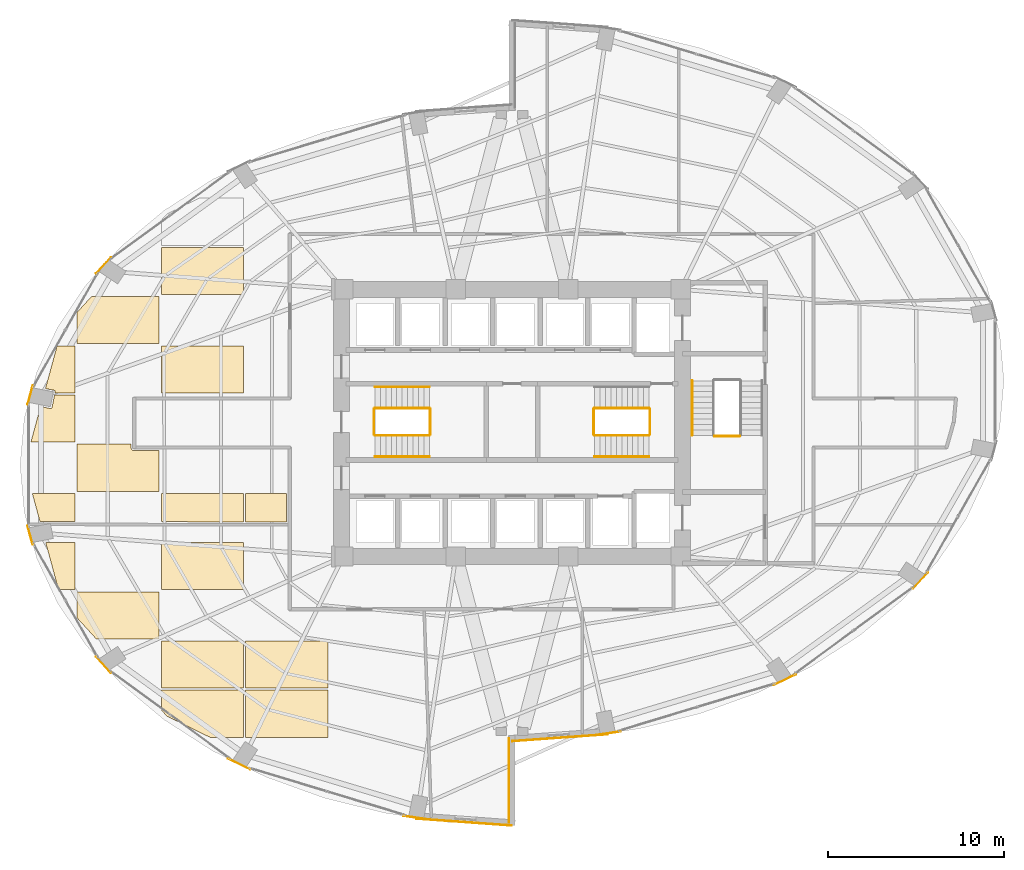
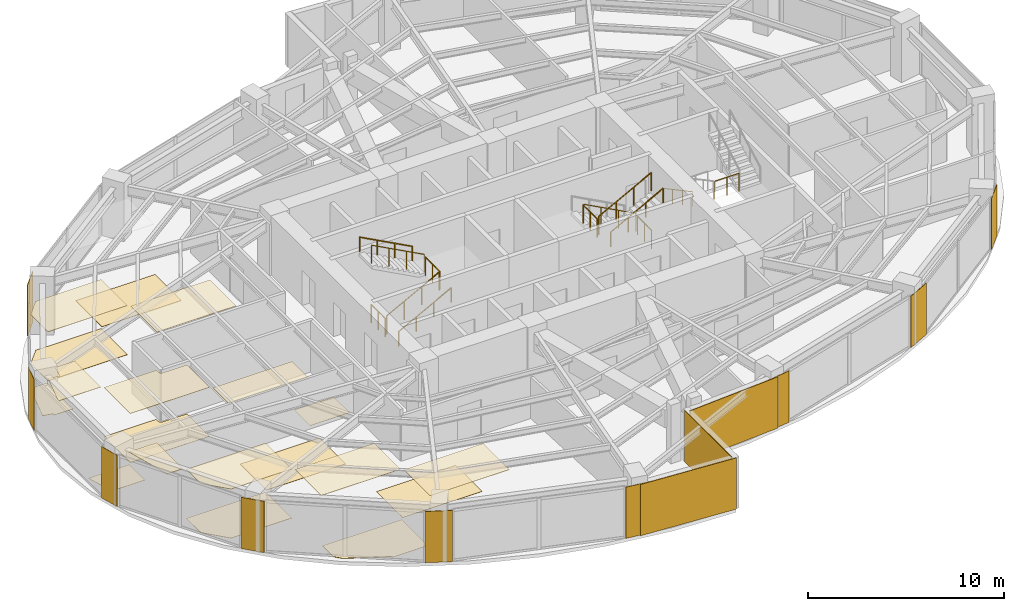
# One storey, part 23 of 24: 31 coverings, 13 railings.
"""IFC4 building model written with IfcOpenShell, lengths in metres."""

from ifc_helpers import new_model, si_unit, direction, frame, origin, origin_2d, place, context, subcontext, project, spatial, polyline, rectangle, circle, outline, extrude, material, layer, layer_set, type_object, element, save


model = new_model("IFC4")

# Units and contexts
model_context = context("Model", 3, precision=1e-05, world=origin(), true_north=direction((0.0, 1.0)))
body_context = subcontext(model_context, "Body", "Model", "MODEL_VIEW")
ifc_project = project(units=[si_unit("LENGTHUNIT", "METRE"), si_unit("AREAUNIT", "SQUARE_METRE"), si_unit("VOLUMEUNIT", "CUBIC_METRE"), si_unit("PLANEANGLEUNIT", "RADIAN"), si_unit("MASSUNIT", "GRAM", prefix="KILO")], contexts=[model_context])

# Site, building, storey
site_placement = place(None, origin())
site = spatial("IfcSite", under=ifc_project, at=site_placement, CompositionType="ELEMENT")
building_placement = place(site_placement, origin())
building = spatial("IfcBuilding", under=site, at=building_placement, Name="Lazwardi Medical Tower", CompositionType="ELEMENT")
storey_placement = place(building_placement, frame((0.0, 0.0, 72.6240234375)))
storey = spatial("IfcBuildingStorey", under=building, at=storey_placement, Name="L18", CompositionType="ELEMENT", Elevation=72.6240234375)

# Coverings
ifc_material_1 = material(Name="Anodised bronze aluminium cassette cladding", Category="aluminium")
ifc_layer_1 = layer(ifc_material_1, 0.030029296875)
ifc_layer_set_1 = layer_set([ifc_layer_1], Name="Anodised bronze aluminium cassette cladding")
covering_type_1 = type_object("IfcCoveringType", Name="COV-CLD-BRZ", PredefinedType="CLADDING", material=ifc_layer_set_1)
covering_1_placement = place(storey_placement, frame((41.454345703125, 10.33251953125, 0.0), z_axis=(0.0, 0.0, 1.0), x_axis=(0.98957259946, 0.144034962415, 0.0)))
element("IfcCovering", 1, at=covering_1_placement, inside=storey, type_object=covering_type_1, Name="L18 Mega-column bronze cassette cover M01", PredefinedType="CLADDING", context=body_context, shape_type="SweptSolid", body=[
    extrude(rectangle(XDim=1.49951171875, YDim=0.030029296875, at=origin_2d()), origin(), (0.0, 0.0, 1.0), 3.197998046875),
])
covering_2_placement = place(storey_placement, frame((51.532470703125, 13.3876953125, 0.0), z_axis=(0.0, 0.0, 1.0), x_axis=(0.898334492373, 0.439312121178, 0.0)))
element("IfcCovering", 2, at=covering_2_placement, inside=storey, type_object=covering_type_1, Name="L18 Mega-column bronze cassette cover M02", PredefinedType="CLADDING", context=body_context, shape_type="SweptSolid", body=[
    extrude(rectangle(XDim=1.400390625, YDim=0.030029296875, at=origin_2d()), origin(), (0.0, 0.0, 1.0), 3.197998046875),
])
for number, where, z_axis, x_axis, name in (
    (3, (59.24609375, 19.03271484375, 0.0), (0.0, 0.0, 1.0), (0.674252120961, 0.738501237223, 0.0), "L18 Mega-column bronze cassette cover M03"),
    (4, (12.75390625, 36.96728515625, 0.0), (0.0, 0.0, 1.0), (-0.674252120961, -0.738501237223, 0.0), "L18 Mega-column bronze cassette cover M11"),
):
    element("IfcCovering", number, at=place(storey_placement, frame(where, z_axis=z_axis, x_axis=x_axis)), inside=storey, type_object=covering_type_1, Name=name, PredefinedType="CLADDING", context=body_context, shape_type="SweptSolid", body=[
        extrude(rectangle(XDim=1.24658203125, YDim=0.030029296875, at=origin_2d()), origin(), (0.0, 0.0, 1.0), 3.197998046875),
    ])
for number, where, z_axis, x_axis, name in (
    (5, (8.579345703125, 29.591796875, 0.0), (0.0, 0.0, 1.0), (-0.262283496593, -0.964990863902, 0.0), "L18 Mega-column bronze cassette cover M12"),
    (6, (8.579345703125, 21.6083984375, 0.0), (0.0, 0.0, 1.0), (0.262283496593, -0.964990863902, 0.0), "L18 Mega-column bronze cassette cover M13"),
):
    element("IfcCovering", number, at=place(storey_placement, frame(where, z_axis=z_axis, x_axis=x_axis)), inside=storey, type_object=covering_type_1, Name=name, PredefinedType="CLADDING", context=body_context, shape_type="SweptSolid", body=[
        extrude(rectangle(XDim=1.12548828125, YDim=0.030029296875, at=origin_2d()), origin(), (0.0, 0.0, 1.0), 3.197998046875),
    ])
covering_3_placement = place(storey_placement, frame((12.75390625, 14.232666015625, 0.0), z_axis=(0.0, 0.0, 1.0), x_axis=(0.674252120961, -0.738501237223, 0.0)))
element("IfcCovering", 7, at=covering_3_placement, inside=storey, type_object=covering_type_1, Name="L18 Mega-column bronze cassette cover M14", PredefinedType="CLADDING", context=body_context, shape_type="SweptSolid", body=[
    extrude(rectangle(XDim=1.24658203125, YDim=0.030029296875, at=origin_2d()), origin(), (0.0, 0.0, 1.0), 3.197998046875),
])
covering_4_placement = place(storey_placement, frame((20.467529296875, 8.587646484375, 0.0), z_axis=(0.0, 0.0, 1.0), x_axis=(0.898334492373, -0.439312121178, 0.0)))
element("IfcCovering", 8, at=covering_4_placement, inside=storey, type_object=covering_type_1, Name="L18 Mega-column bronze cassette cover M15", PredefinedType="CLADDING", context=body_context, shape_type="SweptSolid", body=[
    extrude(rectangle(XDim=1.400390625, YDim=0.030029296875, at=origin_2d()), origin(), (0.0, 0.0, 1.0), 3.197998046875),
])
covering_5_placement = place(storey_placement, frame((30.545654296875, 5.53271484375, 0.0), z_axis=(0.0, 0.0, 1.0), x_axis=(0.98957259946, -0.144034962415, 0.0)))
element("IfcCovering", 9, at=covering_5_placement, inside=storey, type_object=covering_type_1, Name="L18 Mega-column bronze cassette cover M16", PredefinedType="CLADDING", context=body_context, shape_type="SweptSolid", body=[
    extrude(rectangle(XDim=1.49951171875, YDim=0.030029296875, at=origin_2d()), origin(), (0.0, 0.0, 1.0), 3.197998046875),
])
ifc_material_2 = material(Name="Turquoise glazed ceramic tilework cladding", Category="masonry")
ifc_layer_2 = layer(ifc_material_2, 0.034912109375)
ifc_layer_set_2 = layer_set([ifc_layer_2], Name="Turquoise glazed ceramic tilework cladding")
covering_type_2 = type_object("IfcCoveringType", Name="COV-CLD-TRQ", PredefinedType="CLADDING", material=ifc_layer_set_2)
covering_6_placement = place(storey_placement, frame((38.728271484375, 10.080322265625, 0.0), z_axis=(0.0, 0.0, 1.0), x_axis=(0.997421404513, 0.071767275412, 0.0)))
element("IfcCovering", 10, at=covering_6_placement, inside=storey, type_object=covering_type_2, Name="L18 Turquoise glazed ceramic tilework cladding", PredefinedType="CLADDING", context=body_context, shape_type="SweptSolid", body=[
    extrude(rectangle(XDim=5.4453125, YDim=0.034912109375, at=origin_2d()), origin(), (0.0, 0.0, 1.0), 3.197998046875),
])
covering_7_placement = place(storey_placement, frame((33.271484375, 5.280517578125, 0.0), z_axis=(0.0, 0.0, 1.0), x_axis=(0.997420903458, -0.071774238726, 0.0)))
element("IfcCovering", 11, at=covering_7_placement, inside=storey, type_object=covering_type_2, Name="L18 Turquoise glazed ceramic tilework cladding", PredefinedType="CLADDING", context=body_context, shape_type="SweptSolid", body=[
    extrude(rectangle(XDim=5.44482421875, YDim=0.034912109375, at=origin_2d()), origin(), (0.0, 0.0, 1.0), 3.197998046875),
])
covering_8_placement = place(storey_placement, frame((35.824462890625, 7.659912109375, 0.0), z_axis=(0.0, 0.0, 1.0), x_axis=(0.0, 1.0, 0.0)))
element("IfcCovering", 12, at=covering_8_placement, inside=storey, type_object=covering_type_2, Name="L18 Turquoise glazed ceramic tilework iwan panel", PredefinedType="CLADDING", context=body_context, shape_type="SweptSolid", body=[
    extrude(rectangle(XDim=4.800048828125, YDim=0.034912109375, at=origin_2d()), origin(), (0.0, 0.0, 1.0), 3.197998046875),
])
ifc_material_3 = material(Name="Acoustic mineral fibre tile")
ifc_layer_3 = layer(ifc_material_3, 0.02490234375)
ifc_layer_set_3 = layer_set([ifc_layer_3], Name="Acoustic mineral fibre tile")
covering_type_3 = type_object("IfcCoveringType", Name="COV-CLG-01", PredefinedType="CEILING", material=ifc_layer_set_3)
covering_9_placement = place(storey_placement, frame((0.0, 0.0, 3.052978515625)))
element("IfcCovering", 13, at=covering_9_placement, inside=storey, type_object=covering_type_3, Name="L18 Clinical Acoustic Ceiling 1", PredefinedType="CEILING", context=body_context, shape_type="SweptSolid", body=[
    extrude(outline(polyline([(9.463134765625, 21.1923828125), (10.193115234375, 18.512451171875), (11.122802734375, 18.512451171875), (11.122802734375, 21.1923828125), (9.463134765625, 21.1923828125)])), origin(), (0.0, 0.0, 1.0), 0.02490234375),
])
covering_10_placement = place(storey_placement, frame((0.0, 0.0, 3.052978515625)))
element("IfcCovering", 14, at=covering_10_placement, inside=storey, type_object=covering_type_3, Name="L18 Clinical Acoustic Ceiling 2", PredefinedType="CEILING", context=body_context, shape_type="SweptSolid", body=[
    extrude(outline(polyline([(9.964111328125, 29.592529296875), (9.8232421875, 28.885009765625), (9.8212890625, 28.877197265625), (9.818603515625, 28.869873046875), (9.8154296875, 28.86279296875), (9.811279296875, 28.856201171875), (9.806640625, 28.849609375), (9.801513671875, 28.843994140625), (9.79541015625, 28.838623046875), (9.789306640625, 28.833984375), (9.782470703125, 28.829833984375), (9.775390625, 28.82666015625), (9.76806640625, 28.823974609375), (9.760498046875, 28.822021484375), (9.752685546875, 28.82080078125), (9.744873046875, 28.820556640625), (9.737060546875, 28.82080078125), (9.729248046875, 28.822021484375), (9.170654296875, 28.93310546875), (8.620361328125, 26.91259765625), (11.122802734375, 26.91259765625), (11.122802734375, 29.592529296875), (9.964111328125, 29.592529296875)])), origin(), (0.0, 0.0, 1.0), 0.02490234375),
])
covering_11_placement = place(storey_placement, frame((0.0, 0.0, 3.052978515625)))
element("IfcCovering", 15, at=covering_11_placement, inside=storey, type_object=covering_type_3, Name="L18 Clinical Acoustic Ceiling 3", PredefinedType="CEILING", context=body_context, shape_type="SweptSolid", body=[
    extrude(outline(polyline([(11.242919921875, 16.9091796875), (12.337646484375, 15.71240234375), (15.9228515625, 15.71240234375), (15.9228515625, 18.392578125), (11.242919921875, 18.392578125), (11.242919921875, 16.9091796875)])), origin(), (0.0, 0.0, 1.0), 0.02490234375),
])
covering_12_placement = place(storey_placement, frame((0.0, 0.0, 3.052978515625)))
element("IfcCovering", 16, at=covering_12_placement, inside=storey, type_object=covering_type_3, Name="L18 Clinical Acoustic Ceiling 4", PredefinedType="CEILING", context=body_context, shape_type="SweptSolid", body=[
    extrude(outline(polyline([(15.9228515625, 26.425048828125), (14.5, 26.425048828125), (14.49560546875, 26.425048828125), (14.486328125, 26.425537109375), (14.4794921875, 26.42626953125), (14.47021484375, 26.427490234375), (14.4619140625, 26.42919921875), (14.452880859375, 26.431396484375), (14.44580078125, 26.43359375), (14.43701171875, 26.436767578125), (14.42919921875, 26.43994140625), (14.4208984375, 26.444091796875), (14.4140625, 26.447509765625), (14.406005859375, 26.452392578125), (14.3994140625, 26.456787109375), (14.391845703125, 26.46240234375), (14.38623046875, 26.467041015625), (14.37939453125, 26.473388671875), (14.373291015625, 26.479248046875), (14.3671875, 26.486083984375), (14.362548828125, 26.49169921875), (14.35693359375, 26.499267578125), (14.352294921875, 26.506103515625), (14.34765625, 26.513916015625), (14.343994140625, 26.520751953125), (14.340087890625, 26.529296875), (14.336669921875, 26.537109375), (14.33349609375, 26.5458984375), (14.33154296875, 26.552734375), (14.3291015625, 26.56201171875), (14.32763671875, 26.5703125), (14.326416015625, 26.57958984375), (14.32568359375, 26.58642578125), (14.3251953125, 26.595703125), (14.324951171875, 26.60009765625), (14.324951171875, 26.79248046875), (11.242919921875, 26.79248046875), (11.242919921875, 24.112548828125), (15.9228515625, 24.112548828125), (15.9228515625, 26.425048828125)])), origin(), (0.0, 0.0, 1.0), 0.02490234375),
])
covering_13_placement = place(storey_placement, frame((0.0, 0.0, 3.052978515625)))
element("IfcCovering", 17, at=covering_13_placement, inside=storey, type_object=covering_type_3, Name="L18 Clinical Acoustic Ceiling 5", PredefinedType="CEILING", context=body_context, shape_type="SweptSolid", body=[
    extrude(outline(polyline([(12.067626953125, 35.1923828125), (11.242919921875, 34.290771484375), (11.242919921875, 32.512451171875), (15.9228515625, 32.512451171875), (15.9228515625, 35.1923828125), (12.067626953125, 35.1923828125)])), origin(), (0.0, 0.0, 1.0), 0.02490234375),
])
covering_14_placement = place(storey_placement, frame((0.0, 0.0, 3.052978515625)))
element("IfcCovering", 18, at=covering_14_placement, inside=storey, type_object=covering_type_3, Name="L18 Clinical Acoustic Ceiling 6", PredefinedType="CEILING", context=body_context, shape_type="SweptSolid", body=[
    extrude(outline(polyline([(20.722900390625, 12.91259765625), (20.722900390625, 15.592529296875), (16.04296875, 15.592529296875), (16.04296875, 12.91259765625), (20.722900390625, 12.91259765625)])), origin(), (0.0, 0.0, 1.0), 0.02490234375),
])
covering_15_placement = place(storey_placement, frame((0.0, 0.0, 3.052978515625)))
element("IfcCovering", 19, at=covering_15_placement, inside=storey, type_object=covering_type_3, Name="L18 Clinical Acoustic Ceiling 7", PredefinedType="CEILING", context=body_context, shape_type="SweptSolid", body=[
    extrude(outline(polyline([(16.04296875, 22.380615234375), (20.722900390625, 22.37060546875), (20.722900390625, 23.992431640625), (16.04296875, 23.992431640625), (16.04296875, 22.380615234375)])), origin(), (0.0, 0.0, 1.0), 0.02490234375),
])
covering_16_placement = place(storey_placement, frame((0.0, 0.0, 3.052978515625)))
element("IfcCovering", 20, at=covering_16_placement, inside=storey, type_object=covering_type_3, Name="L18 Clinical Acoustic Ceiling 8", PredefinedType="CEILING", context=body_context, shape_type="SweptSolid", body=[
    extrude(outline(polyline([(20.722900390625, 29.71240234375), (20.722900390625, 32.392578125), (16.04296875, 32.392578125), (16.04296875, 29.71240234375), (20.722900390625, 29.71240234375)])), origin(), (0.0, 0.0, 1.0), 0.02490234375),
])
covering_17_placement = place(storey_placement, frame((0.0, 0.0, 3.052978515625)))
element("IfcCovering", 21, at=covering_17_placement, inside=storey, type_object=covering_type_3, Name="L18 Clinical Acoustic Ceiling 10", PredefinedType="CEILING", context=body_context, shape_type="SweptSolid", body=[
    extrude(outline(polyline([(25.52294921875, 10.112548828125), (25.52294921875, 12.79248046875), (20.843017578125, 12.79248046875), (20.843017578125, 10.112548828125), (25.52294921875, 10.112548828125)])), origin(), (0.0, 0.0, 1.0), 0.02490234375),
])
ifc_material_4 = material(Name="Anti-static hospital vinyl sheet flooring")
ifc_layer_4 = layer(ifc_material_4, 0.014892578125)
ifc_layer_set_4 = layer_set([ifc_layer_4], Name="Anti-static hospital vinyl sheet flooring")
covering_type_4 = type_object("IfcCoveringType", Name="COV-FLR-01", PredefinedType="FLOORING", material=ifc_layer_set_4)
covering_18_placement = place(storey_placement, origin())
element("IfcCovering", 22, at=covering_18_placement, inside=storey, type_object=covering_type_4, Name="L18 Clinical Vinyl Flooring 1", PredefinedType="FLOORING", context=body_context, shape_type="SweptSolid", body=[
    extrude(outline(polyline([(8.70068359375, 23.992431640625), (9.1357421875, 22.39501953125), (11.122802734375, 22.390869140625), (11.122802734375, 23.992431640625), (8.70068359375, 23.992431640625)])), origin(), (0.0, 0.0, 1.0), 0.014892578125),
])
covering_19_placement = place(storey_placement, origin())
element("IfcCovering", 23, at=covering_19_placement, inside=storey, type_object=covering_type_4, Name="L18 Clinical Vinyl Flooring 2", PredefinedType="FLOORING", context=body_context, shape_type="SweptSolid", body=[
    extrude(outline(polyline([(10.11279296875, 32.392578125), (9.44970703125, 29.95849609375), (9.93603515625, 29.86181640625), (9.943603515625, 29.85986328125), (9.950927734375, 29.857177734375), (9.9580078125, 29.853759765625), (9.96484375, 29.849609375), (9.97119140625, 29.844970703125), (9.97705078125, 29.83984375), (9.982177734375, 29.833984375), (9.98681640625, 29.82763671875), (9.990966796875, 29.82080078125), (9.994384765625, 29.813720703125), (9.9970703125, 29.806396484375), (9.998779296875, 29.798828125), (10.0, 29.791015625), (10.00048828125, 29.783203125), (10.0, 29.775390625), (9.998779296875, 29.767578125), (9.98779296875, 29.71240234375), (11.122802734375, 29.71240234375), (11.122802734375, 32.392578125), (10.11279296875, 32.392578125)])), origin(), (0.0, 0.0, 1.0), 0.014892578125),
])
covering_20_placement = place(storey_placement, origin())
element("IfcCovering", 24, at=covering_20_placement, inside=storey, type_object=covering_type_4, Name="L18 Clinical Vinyl Flooring 3", PredefinedType="FLOORING", context=body_context, shape_type="SweptSolid", body=[
    extrude(outline(polyline([(11.242919921875, 16.9091796875), (12.337646484375, 15.71240234375), (15.9228515625, 15.71240234375), (15.9228515625, 18.392578125), (11.242919921875, 18.392578125), (11.242919921875, 16.9091796875)])), origin(), (0.0, 0.0, 1.0), 0.014892578125),
])
covering_21_placement = place(storey_placement, origin())
element("IfcCovering", 25, at=covering_21_placement, inside=storey, type_object=covering_type_4, Name="L18 Clinical Vinyl Flooring 4", PredefinedType="FLOORING", context=body_context, shape_type="SweptSolid", body=[
    extrude(outline(polyline([(15.9228515625, 26.425048828125), (14.5, 26.425048828125), (14.49560546875, 26.425048828125), (14.486328125, 26.425537109375), (14.4794921875, 26.42626953125), (14.47021484375, 26.427490234375), (14.4619140625, 26.42919921875), (14.452880859375, 26.431396484375), (14.44580078125, 26.43359375), (14.43701171875, 26.436767578125), (14.42919921875, 26.43994140625), (14.4208984375, 26.444091796875), (14.4140625, 26.447509765625), (14.406005859375, 26.452392578125), (14.3994140625, 26.456787109375), (14.391845703125, 26.46240234375), (14.38623046875, 26.467041015625), (14.37939453125, 26.473388671875), (14.373291015625, 26.479248046875), (14.3671875, 26.486083984375), (14.362548828125, 26.49169921875), (14.35693359375, 26.499267578125), (14.352294921875, 26.506103515625), (14.34765625, 26.513916015625), (14.343994140625, 26.520751953125), (14.340087890625, 26.529296875), (14.336669921875, 26.537109375), (14.33349609375, 26.5458984375), (14.33154296875, 26.552734375), (14.3291015625, 26.56201171875), (14.32763671875, 26.5703125), (14.326416015625, 26.57958984375), (14.32568359375, 26.58642578125), (14.3251953125, 26.595703125), (14.324951171875, 26.60009765625), (14.324951171875, 26.79248046875), (11.242919921875, 26.79248046875), (11.242919921875, 24.112548828125), (15.9228515625, 24.112548828125), (15.9228515625, 26.425048828125)])), origin(), (0.0, 0.0, 1.0), 0.014892578125),
])
covering_22_placement = place(storey_placement, origin())
element("IfcCovering", 26, at=covering_22_placement, inside=storey, type_object=covering_type_4, Name="L18 Clinical Vinyl Flooring 5", PredefinedType="FLOORING", context=body_context, shape_type="SweptSolid", body=[
    extrude(outline(polyline([(12.067626953125, 35.1923828125), (11.242919921875, 34.290771484375), (11.242919921875, 32.512451171875), (15.9228515625, 32.512451171875), (15.9228515625, 35.1923828125), (12.067626953125, 35.1923828125)])), origin(), (0.0, 0.0, 1.0), 0.014892578125),
])
covering_23_placement = place(storey_placement, origin())
element("IfcCovering", 27, at=covering_23_placement, inside=storey, type_object=covering_type_4, Name="L18 Clinical Vinyl Flooring 6", PredefinedType="FLOORING", context=body_context, shape_type="SweptSolid", body=[
    extrude(outline(polyline([(16.04296875, 11.662109375), (16.377197265625, 11.296875), (18.8037109375, 10.112548828125), (20.722900390625, 10.112548828125), (20.722900390625, 12.79248046875), (16.04296875, 12.79248046875), (16.04296875, 11.662109375)])), origin(), (0.0, 0.0, 1.0), 0.014892578125),
])
covering_24_placement = place(storey_placement, origin())
element("IfcCovering", 28, at=covering_24_placement, inside=storey, type_object=covering_type_4, Name="L18 Clinical Vinyl Flooring 7", PredefinedType="FLOORING", context=body_context, shape_type="SweptSolid", body=[
    extrude(outline(polyline([(20.722900390625, 18.512451171875), (20.722900390625, 21.1923828125), (16.04296875, 21.1923828125), (16.04296875, 18.512451171875), (20.722900390625, 18.512451171875)])), origin(), (0.0, 0.0, 1.0), 0.014892578125),
])
covering_25_placement = place(storey_placement, origin())
element("IfcCovering", 29, at=covering_25_placement, inside=storey, type_object=covering_type_4, Name="L18 Clinical Vinyl Flooring 8", PredefinedType="FLOORING", context=body_context, shape_type="SweptSolid", body=[
    extrude(outline(polyline([(20.722900390625, 35.3125), (20.722900390625, 37.992431640625), (16.04296875, 37.992431640625), (16.04296875, 35.3125), (20.722900390625, 35.3125)])), origin(), (0.0, 0.0, 1.0), 0.014892578125),
])
covering_26_placement = place(storey_placement, origin())
element("IfcCovering", 30, at=covering_26_placement, inside=storey, type_object=covering_type_4, Name="L18 Clinical Vinyl Flooring 9", PredefinedType="FLOORING", context=body_context, shape_type="SweptSolid", body=[
    extrude(outline(polyline([(25.52294921875, 12.91259765625), (25.52294921875, 15.592529296875), (20.843017578125, 15.592529296875), (20.843017578125, 12.91259765625), (25.52294921875, 12.91259765625)])), origin(), (0.0, 0.0, 1.0), 0.014892578125),
])
covering_27_placement = place(storey_placement, origin())
element("IfcCovering", 31, at=covering_27_placement, inside=storey, type_object=covering_type_4, Name="L18 Clinical Vinyl Flooring 10", PredefinedType="FLOORING", context=body_context, shape_type="SweptSolid", body=[
    extrude(outline(polyline([(20.843017578125, 22.370361328125), (23.175048828125, 22.365478515625), (23.175048828125, 23.992431640625), (20.843017578125, 23.992431640625), (20.843017578125, 22.370361328125)])), origin(), (0.0, 0.0, 1.0), 0.014892578125),
])

# Railings
ifc_material_5 = material(Name="Stainless steel Grade 316", Category="steel")
railing_type_1 = type_object("IfcRailingType", Name="RLG-GRD-1150", PredefinedType="GUARDRAIL", material=ifc_material_5)
railing_1_placement = place(storey_placement, frame((28.199951171875, 27.2900390625, 0.165771484375)))
element("IfcRailing", 32, at=railing_1_placement, inside=storey, type_object=railing_type_1, Name="L18 ST1 stair guard 1", PredefinedType="GUARDRAIL", context=body_context, shape_type="SweptSolid", body=[
    extrude(circle(Radius=0.02392578125, at=origin_2d()), frame((0.0, 0.0, 1.1259765625), z_axis=(0.881783298633, 0.0, 0.471654761719), x_axis=(0.0, 1.0, 0.0)), (0.0, 0.0, 1.0), 3.515625),
    extrude(circle(Radius=0.02099609375, at=origin_2d()), origin(), (0.0, 0.0, 1.0), 1.099853515625),
    extrude(circle(Radius=0.02099609375, at=origin_2d()), frame((1.033447265625, 0.0, 0.552734375)), (0.0, 0.0, 1.0), 1.099853515625),
    extrude(circle(Radius=0.02099609375, at=origin_2d()), frame((2.066650390625, 0.0, 1.10546875)), (0.0, 0.0, 1.0), 1.099853515625),
    extrude(circle(Radius=0.02099609375, at=origin_2d()), frame((3.10009765625, 0.0, 1.658203125)), (0.0, 0.0, 1.0), 1.099853515625),
])
railing_2_placement = place(storey_placement, frame((31.35009765625, 27.340087890625, 1.823974609375)))
element("IfcRailing", 33, at=railing_2_placement, inside=storey, type_object=railing_type_1, Name="L18 ST1 stair guard 2", PredefinedType="GUARDRAIL", context=body_context, shape_type="SweptSolid", body=[
    extrude(circle(Radius=0.02392578125, at=origin_2d()), frame((0.0, 0.0, 1.1259765625), z_axis=(0.0, 1.0, 0.0), x_axis=(-1.0, 0.0, 0.0)), (0.0, 0.0, 1.0), 1.43994140625),
    extrude(circle(Radius=0.02099609375, at=origin_2d()), origin(), (0.0, 0.0, 1.0), 1.099853515625),
    extrude(circle(Radius=0.02099609375, at=origin_2d()), frame((0.0, 0.719970703125, 0.0)), (0.0, 0.0, 1.0), 1.099853515625),
    extrude(circle(Radius=0.02099609375, at=origin_2d()), frame((0.0, 1.43994140625, 0.0)), (0.0, 0.0, 1.0), 1.099853515625),
])
railing_3_placement = place(storey_placement, frame((31.300048828125, 28.830078125, 1.98974609375)))
element("IfcRailing", 34, at=railing_3_placement, inside=storey, type_object=railing_type_1, Name="L18 ST1 stair guard 3", PredefinedType="GUARDRAIL", context=body_context, shape_type="SweptSolid", body=[
    extrude(circle(Radius=0.02392578125, at=origin_2d()), frame((0.0, 0.0, 1.1259765625), z_axis=(-0.881783298633, 0.0, 0.471654761719), x_axis=(0.0, -1.0, 0.0)), (0.0, 0.0, 1.0), 3.515625),
    extrude(circle(Radius=0.02099609375, at=origin_2d()), origin(), (0.0, 0.0, 1.0), 1.099853515625),
    extrude(circle(Radius=0.02099609375, at=origin_2d()), frame((-1.033447265625, 0.0, 0.552734375)), (0.0, 0.0, 1.0), 1.099853515625),
    extrude(circle(Radius=0.02099609375, at=origin_2d()), frame((-2.066650390625, 0.0, 1.10546875)), (0.0, 0.0, 1.0), 1.099853515625),
    extrude(circle(Radius=0.02099609375, at=origin_2d()), frame((-3.10009765625, 0.0, 1.658203125)), (0.0, 0.0, 1.0), 1.099853515625),
])
railing_4_placement = place(storey_placement, frame((28.14990234375, 27.340087890625, 0.0)))
element("IfcRailing", 35, at=railing_4_placement, inside=storey, type_object=railing_type_1, Name="L18 ST1 stair guard 4", PredefinedType="GUARDRAIL", context=body_context, shape_type="SweptSolid", body=[
    extrude(circle(Radius=0.02392578125, at=origin_2d()), frame((0.0, 0.0, 1.1259765625), z_axis=(0.0, 1.0, 0.0), x_axis=(-1.0, 0.0, 0.0)), (0.0, 0.0, 1.0), 1.43994140625),
    extrude(circle(Radius=0.02099609375, at=origin_2d()), origin(), (0.0, 0.0, 1.0), 1.099853515625),
    extrude(circle(Radius=0.02099609375, at=origin_2d()), frame((0.0, 0.719970703125, 0.0)), (0.0, 0.0, 1.0), 1.099853515625),
    extrude(circle(Radius=0.02099609375, at=origin_2d()), frame((0.0, 1.43994140625, 0.0)), (0.0, 0.0, 1.0), 1.099853515625),
])
railing_5_placement = place(storey_placement, frame((43.800048828125, 28.830078125, 0.165771484375)))
element("IfcRailing", 36, at=railing_5_placement, inside=storey, type_object=railing_type_1, Name="L18 ST2 stair guard 1", PredefinedType="GUARDRAIL", context=body_context, shape_type="SweptSolid", body=[
    extrude(circle(Radius=0.02392578125, at=origin_2d()), frame((0.0, 0.0, 1.1259765625), z_axis=(-0.881783298633, 0.0, 0.471654761719), x_axis=(0.0, -1.0, 0.0)), (0.0, 0.0, 1.0), 3.515625),
    extrude(circle(Radius=0.02099609375, at=origin_2d()), origin(), (0.0, 0.0, 1.0), 1.099853515625),
    extrude(circle(Radius=0.02099609375, at=origin_2d()), frame((-1.033447265625, 0.0, 0.552734375)), (0.0, 0.0, 1.0), 1.099853515625),
    extrude(circle(Radius=0.02099609375, at=origin_2d()), frame((-2.066650390625, 0.0, 1.10546875)), (0.0, 0.0, 1.0), 1.099853515625),
    extrude(circle(Radius=0.02099609375, at=origin_2d()), frame((-3.10009765625, 0.0, 1.658203125)), (0.0, 0.0, 1.0), 1.099853515625),
])
railing_6_placement = place(storey_placement, frame((40.64990234375, 28.780029296875, 1.823974609375)))
element("IfcRailing", 37, at=railing_6_placement, inside=storey, type_object=railing_type_1, Name="L18 ST2 stair guard 2", PredefinedType="GUARDRAIL", context=body_context, shape_type="SweptSolid", body=[
    extrude(circle(Radius=0.02392578125, at=origin_2d()), frame((0.0, 0.0, 1.1259765625), z_axis=(0.0, -1.0, 0.0), x_axis=(1.0, 0.0, 0.0)), (0.0, 0.0, 1.0), 1.43994140625),
    extrude(circle(Radius=0.02099609375, at=origin_2d()), origin(), (0.0, 0.0, 1.0), 1.099853515625),
    extrude(circle(Radius=0.02099609375, at=origin_2d()), frame((0.0, -0.719970703125, 0.0)), (0.0, 0.0, 1.0), 1.099853515625),
    extrude(circle(Radius=0.02099609375, at=origin_2d()), frame((0.0, -1.43994140625, 0.0)), (0.0, 0.0, 1.0), 1.099853515625),
])
railing_7_placement = place(storey_placement, frame((40.699951171875, 27.2900390625, 1.98974609375)))
element("IfcRailing", 38, at=railing_7_placement, inside=storey, type_object=railing_type_1, Name="L18 ST2 stair guard 3", PredefinedType="GUARDRAIL", context=body_context, shape_type="SweptSolid", body=[
    extrude(circle(Radius=0.02392578125, at=origin_2d()), frame((0.0, 0.0, 1.1259765625), z_axis=(0.881783298633, 0.0, 0.471654761719), x_axis=(0.0, 1.0, 0.0)), (0.0, 0.0, 1.0), 3.515625),
    extrude(circle(Radius=0.02099609375, at=origin_2d()), origin(), (0.0, 0.0, 1.0), 1.099853515625),
    extrude(circle(Radius=0.02099609375, at=origin_2d()), frame((1.033447265625, 0.0, 0.552734375)), (0.0, 0.0, 1.0), 1.099853515625),
    extrude(circle(Radius=0.02099609375, at=origin_2d()), frame((2.066650390625, 0.0, 1.10546875)), (0.0, 0.0, 1.0), 1.099853515625),
    extrude(circle(Radius=0.02099609375, at=origin_2d()), frame((3.10009765625, 0.0, 1.658203125)), (0.0, 0.0, 1.0), 1.099853515625),
])
railing_8_placement = place(storey_placement, frame((43.85009765625, 28.780029296875, 0.0)))
element("IfcRailing", 39, at=railing_8_placement, inside=storey, type_object=railing_type_1, Name="L18 ST2 stair guard 4", PredefinedType="GUARDRAIL", context=body_context, shape_type="SweptSolid", body=[
    extrude(circle(Radius=0.02392578125, at=origin_2d()), frame((0.0, 0.0, 1.1259765625), z_axis=(0.0, -1.0, 0.0), x_axis=(1.0, 0.0, 0.0)), (0.0, 0.0, 1.0), 1.43994140625),
    extrude(circle(Radius=0.02099609375, at=origin_2d()), origin(), (0.0, 0.0, 1.0), 1.099853515625),
    extrude(circle(Radius=0.02099609375, at=origin_2d()), frame((0.0, -0.719970703125, 0.0)), (0.0, 0.0, 1.0), 1.099853515625),
    extrude(circle(Radius=0.02099609375, at=origin_2d()), frame((0.0, -1.43994140625, 0.0)), (0.0, 0.0, 1.0), 1.099853515625),
])
railing_9_placement = place(storey_placement, frame((47.52001953125, 27.25, 1.823974609375)))
element("IfcRailing", 40, at=railing_9_placement, inside=storey, type_object=railing_type_1, Name="L18 ST3 stair guard 2", PredefinedType="GUARDRAIL", context=body_context, shape_type="SweptSolid", body=[
    extrude(circle(Radius=0.02392578125, at=origin_2d()), frame((0.0, 0.0, 1.1259765625), z_axis=(1.0, 0.0, 0.0), x_axis=(0.0, 1.0, 0.0)), (0.0, 0.0, 1.0), 1.43994140625),
    extrude(circle(Radius=0.02099609375, at=origin_2d()), origin(), (0.0, 0.0, 1.0), 1.099853515625),
    extrude(circle(Radius=0.02099609375, at=origin_2d()), frame((0.719970703125, 0.0, 0.0)), (0.0, 0.0, 1.0), 1.099853515625),
    extrude(circle(Radius=0.02099609375, at=origin_2d()), frame((1.43994140625, 0.0, 0.0)), (0.0, 0.0, 1.0), 1.099853515625),
])
railing_type_2 = type_object("IfcRailingType", Name="RLG-HND-920", PredefinedType="HANDRAIL", material=ifc_material_5)
railing_10_placement = place(storey_placement, frame((28.199951171875, 26.070068359375, 0.165771484375)))
element("IfcRailing", 41, at=railing_10_placement, inside=storey, type_object=railing_type_2, Name="L18 ST1 stair handrail 1", PredefinedType="HANDRAIL", context=body_context, shape_type="SweptSolid", body=[
    extrude(circle(Radius=0.02392578125, at=origin_2d()), frame((0.0, 0.0, 0.8857421875), z_axis=(0.881783298633, 0.0, 0.471654761719), x_axis=(0.0, 1.0, 0.0)), (0.0, 0.0, 1.0), 3.515625),
    extrude(circle(Radius=0.02099609375, at=origin_2d()), origin(), (0.0, 0.0, 1.0), 0.85986328125),
    extrude(circle(Radius=0.02099609375, at=origin_2d()), frame((1.033447265625, 0.0, 0.552734375)), (0.0, 0.0, 1.0), 0.85986328125),
    extrude(circle(Radius=0.02099609375, at=origin_2d()), frame((2.066650390625, 0.0, 1.10546875)), (0.0, 0.0, 1.0), 0.85986328125),
    extrude(circle(Radius=0.02099609375, at=origin_2d()), frame((3.10009765625, 0.0, 1.658203125)), (0.0, 0.0, 1.0), 0.85986328125),
])
railing_11_placement = place(storey_placement, frame((31.300048828125, 30.050048828125, 1.98974609375)))
element("IfcRailing", 42, at=railing_11_placement, inside=storey, type_object=railing_type_2, Name="L18 ST1 stair handrail 2", PredefinedType="HANDRAIL", context=body_context, shape_type="SweptSolid", body=[
    extrude(circle(Radius=0.02392578125, at=origin_2d()), frame((0.0, 0.0, 0.8857421875), z_axis=(-0.881783298633, 0.0, 0.471654761719), x_axis=(0.0, -1.0, 0.0)), (0.0, 0.0, 1.0), 3.515625),
    extrude(circle(Radius=0.02099609375, at=origin_2d()), origin(), (0.0, 0.0, 1.0), 0.85986328125),
    extrude(circle(Radius=0.02099609375, at=origin_2d()), frame((-1.033447265625, 0.0, 0.552734375)), (0.0, 0.0, 1.0), 0.85986328125),
    extrude(circle(Radius=0.02099609375, at=origin_2d()), frame((-2.066650390625, 0.0, 1.10546875)), (0.0, 0.0, 1.0), 0.85986328125),
    extrude(circle(Radius=0.02099609375, at=origin_2d()), frame((-3.10009765625, 0.0, 1.658203125)), (0.0, 0.0, 1.0), 0.85986328125),
])
railing_12_placement = place(storey_placement, frame((40.699951171875, 26.070068359375, 1.98974609375)))
element("IfcRailing", 43, at=railing_12_placement, inside=storey, type_object=railing_type_2, Name="L18 ST2 stair handrail 2", PredefinedType="HANDRAIL", context=body_context, shape_type="SweptSolid", body=[
    extrude(circle(Radius=0.02392578125, at=origin_2d()), frame((0.0, 0.0, 0.8857421875), z_axis=(0.881783298633, 0.0, 0.471654761719), x_axis=(0.0, 1.0, 0.0)), (0.0, 0.0, 1.0), 3.515625),
    extrude(circle(Radius=0.02099609375, at=origin_2d()), origin(), (0.0, 0.0, 1.0), 0.85986328125),
    extrude(circle(Radius=0.02099609375, at=origin_2d()), frame((1.033447265625, 0.0, 0.552734375)), (0.0, 0.0, 1.0), 0.85986328125),
    extrude(circle(Radius=0.02099609375, at=origin_2d()), frame((2.066650390625, 0.0, 1.10546875)), (0.0, 0.0, 1.0), 0.85986328125),
    extrude(circle(Radius=0.02099609375, at=origin_2d()), frame((3.10009765625, 0.0, 1.658203125)), (0.0, 0.0, 1.0), 0.85986328125),
])
railing_13_placement = place(storey_placement, frame((46.25, 30.39990234375, 0.165771484375)))
element("IfcRailing", 44, at=railing_13_placement, inside=storey, type_object=railing_type_2, Name="L18 ST3 stair handrail 1", PredefinedType="HANDRAIL", context=body_context, shape_type="SweptSolid", body=[
    extrude(circle(Radius=0.02392578125, at=origin_2d()), frame((0.0, 0.0, 0.8857421875), z_axis=(0.0, -0.881767849116, 0.471683644262), x_axis=(1.0, 0.0, 0.0)), (0.0, 0.0, 1.0), 3.515380859375),
    extrude(circle(Radius=0.02099609375, at=origin_2d()), origin(), (0.0, 0.0, 1.0), 0.85986328125),
    extrude(circle(Radius=0.02099609375, at=origin_2d()), frame((0.0, -1.033203125, 0.552734375)), (0.0, 0.0, 1.0), 0.85986328125),
    extrude(circle(Radius=0.02099609375, at=origin_2d()), frame((0.0, -2.066650390625, 1.10546875)), (0.0, 0.0, 1.0), 0.85986328125),
    extrude(circle(Radius=0.02099609375, at=origin_2d()), frame((0.0, -3.099853515625, 1.658203125)), (0.0, 0.0, 1.0), 0.85986328125),
])

save(model, "model.ifc")
